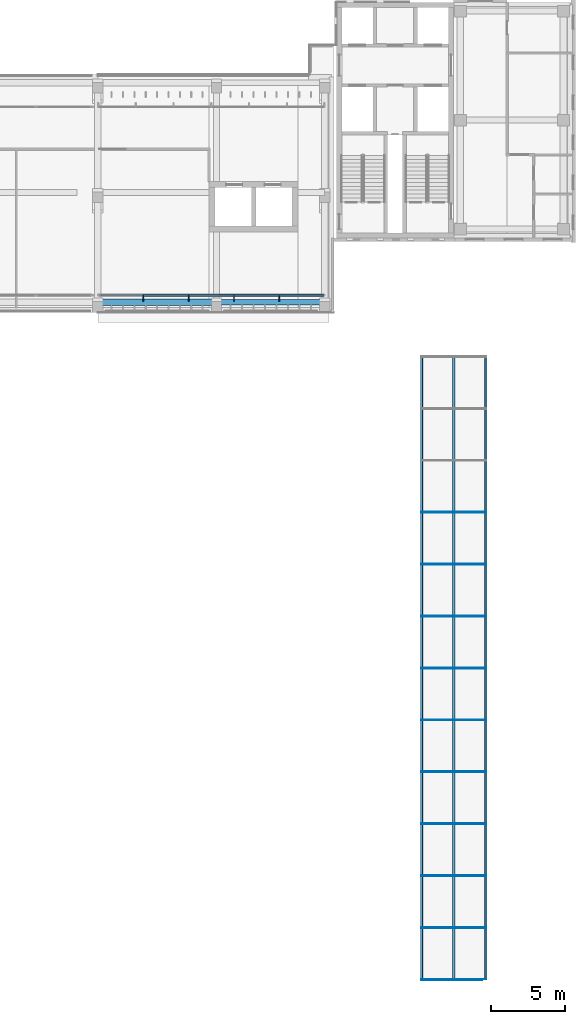
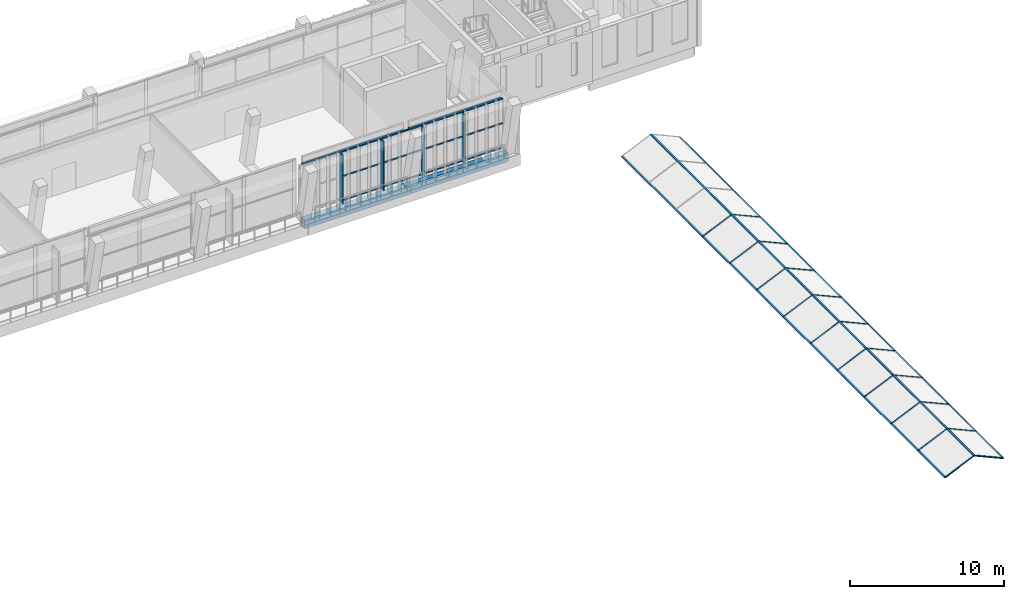
# One storey, part 10 of 73: 39 members, 4 beams, 2 elements without a shape of their own.
"""IFC4 building model written with IfcOpenShell, lengths in metres."""

from ifc_helpers import new_model, si_unit, direction, frame, origin, origin_2d, place, context, subcontext, project, spatial, rectangle, hollow_rectangle, extrude, material, layer, layer_set, material_profile, profile_set, type_object, element, aggregate, save


model = new_model("IFC4")

# Units and contexts
model_context = context("Model", 3, precision=1e-05, world=origin(), true_north=direction((0.0, 1.0)))
body_context = subcontext(model_context, "Body", "Model", "MODEL_VIEW")
ifc_project = project(units=[si_unit("LENGTHUNIT", "METRE"), si_unit("AREAUNIT", "SQUARE_METRE"), si_unit("VOLUMEUNIT", "CUBIC_METRE"), si_unit("PLANEANGLEUNIT", "RADIAN"), si_unit("MASSUNIT", "GRAM", prefix="KILO")], contexts=[model_context])

# Site, building, storey
site_placement = place(None, origin())
site = spatial("IfcSite", under=ifc_project, at=site_placement, CompositionType="ELEMENT")
building_placement = place(site_placement, origin())
building = spatial("IfcBuilding", under=site, at=building_placement, Name="Lantern Court Media Centre", CompositionType="ELEMENT")
storey_placement = place(building_placement, frame((0.0, 0.0, 24.0)))
storey = spatial("IfcBuildingStorey", under=building, at=storey_placement, Name="L05", CompositionType="ELEMENT", Elevation=24.0)

# Curtain wall, members
ifc_material_1 = material(Name="Curtain wall bay 3000")
curtain_wall_type_1 = type_object("IfcCurtainWallType", Name="Curtain wall bay 3000", PredefinedType="NOTDEFINED", material=ifc_material_1)
curtain_wall_1_placement = place(storey_placement, origin())
curtain_wall_1 = element("IfcCurtainWall", 1, at=curtain_wall_1_placement, inside=storey, type_object=curtain_wall_type_1, Name="Curtain wall S outer L05", PredefinedType="NOTDEFINED")
ifc_material_2 = material(Name="Anodised aluminium", Category="aluminium")
ifc_material_profile_1 = material_profile(ifc_material_2, rectangle(XDim=0.449951171875, YDim=0.06005859375, at=origin_2d()), Name="AL 60x450")
ifc_profile_set_1 = profile_set([ifc_material_profile_1], Name="Anodised aluminium")
member_type_1 = type_object("IfcMemberType", Name="Curtain wall mullion 60x450", PredefinedType="MULLION", material=ifc_profile_set_1)
member_1_placement = place(storey_placement, frame((67.06005859375, 43.955078125, 0.0), z_axis=(0.0, 0.0, 1.0), x_axis=(0.0, 1.0, 0.0)))
member_1 = element("IfcMember", 2, at=member_1_placement, type_object=member_type_1, Name="CW1 mullion 2", PredefinedType="MULLION", context=body_context, shape_type="SweptSolid", body=[
    extrude(rectangle(XDim=0.449951171875, YDim=0.06005859375, at=origin_2d()), origin(), (0.0, 0.0, 1.0), 3.949951171875),
])
member_2_placement = place(storey_placement, frame((70.1201171875, 43.955078125, 0.0), z_axis=(0.0, 0.0, 1.0), x_axis=(0.0, 1.0, 0.0)))
member_2 = element("IfcMember", 3, at=member_2_placement, type_object=member_type_1, Name="CW1 mullion 3", PredefinedType="MULLION", context=body_context, shape_type="SweptSolid", body=[
    extrude(rectangle(XDim=0.449951171875, YDim=0.06005859375, at=origin_2d()), origin(), (0.0, 0.0, 1.0), 3.949951171875),
])
member_3_placement = place(storey_placement, frame((73.179931640625, 43.955078125, 0.0), z_axis=(0.0, 0.0, 1.0), x_axis=(0.0, 1.0, 0.0)))
member_3 = element("IfcMember", 4, at=member_3_placement, type_object=member_type_1, Name="CW1 mullion 4", PredefinedType="MULLION", context=body_context, shape_type="SweptSolid", body=[
    extrude(rectangle(XDim=0.449951171875, YDim=0.06005859375, at=origin_2d()), origin(), (0.0, 0.0, 1.0), 3.949951171875),
])
member_4_placement = place(storey_placement, frame((76.239990234375, 43.955078125, 0.0), z_axis=(0.0, 0.0, 1.0), x_axis=(0.0, 1.0, 0.0)))
member_4 = element("IfcMember", 5, at=member_4_placement, type_object=member_type_1, Name="CW1 mullion 5", PredefinedType="MULLION", context=body_context, shape_type="SweptSolid", body=[
    extrude(rectangle(XDim=0.449951171875, YDim=0.06005859375, at=origin_2d()), origin(), (0.0, 0.0, 1.0), 3.949951171875),
])
ifc_material_profile_2 = material_profile(ifc_material_2, rectangle(XDim=0.1201171875, YDim=0.06005859375, at=origin_2d()), Name="AL 60x120")
ifc_profile_set_2 = profile_set([ifc_material_profile_2], Name="Anodised aluminium")
member_type_2 = type_object("IfcMemberType", Name="Curtain wall transom 60x120", PredefinedType="USERDEFINED", material=ifc_profile_set_2)
member_5_placement = place(storey_placement, frame((67.090087890625, 44.14990234375, 0.030029296875), z_axis=(1.0, 0.0, 0.0), x_axis=(0.0, 1.0, 0.0)))
member_5 = element("IfcMember", 6, at=member_5_placement, type_object=member_type_2, Name="CW1 transom 2.1", ObjectType="TRANSOM", PredefinedType="USERDEFINED", context=body_context, shape_type="SweptSolid", body=[
    extrude(rectangle(XDim=0.1201171875, YDim=0.06005859375, at=origin_2d()), origin(), (0.0, 0.0, 1.0), 3.0),
])
member_6_placement = place(storey_placement, frame((67.090087890625, 44.14990234375, 1.97509765625), z_axis=(1.0, 0.0, 0.0), x_axis=(0.0, 1.0, 0.0)))
member_6 = element("IfcMember", 7, at=member_6_placement, type_object=member_type_2, Name="CW1 transom 2.2", ObjectType="TRANSOM", PredefinedType="USERDEFINED", context=body_context, shape_type="SweptSolid", body=[
    extrude(rectangle(XDim=0.1201171875, YDim=0.06005859375, at=origin_2d()), origin(), (0.0, 0.0, 1.0), 3.0),
])
member_7_placement = place(storey_placement, frame((67.090087890625, 44.14990234375, 3.919921875), z_axis=(1.0, 0.0, 0.0), x_axis=(0.0, 1.0, 0.0)))
member_7 = element("IfcMember", 8, at=member_7_placement, type_object=member_type_2, Name="CW1 transom 2.3", ObjectType="TRANSOM", PredefinedType="USERDEFINED", context=body_context, shape_type="SweptSolid", body=[
    extrude(rectangle(XDim=0.1201171875, YDim=0.06005859375, at=origin_2d()), origin(), (0.0, 0.0, 1.0), 3.0),
])
member_8_placement = place(storey_placement, frame((70.14990234375, 44.14990234375, 0.030029296875), z_axis=(1.0, 0.0, 0.0), x_axis=(0.0, 1.0, 0.0)))
member_8 = element("IfcMember", 9, at=member_8_placement, type_object=member_type_2, Name="CW1 transom 3.1", ObjectType="TRANSOM", PredefinedType="USERDEFINED", context=body_context, shape_type="SweptSolid", body=[
    extrude(rectangle(XDim=0.1201171875, YDim=0.06005859375, at=origin_2d()), origin(), (0.0, 0.0, 1.0), 3.0),
])
member_9_placement = place(storey_placement, frame((70.14990234375, 44.14990234375, 1.97509765625), z_axis=(1.0, 0.0, 0.0), x_axis=(0.0, 1.0, 0.0)))
member_9 = element("IfcMember", 10, at=member_9_placement, type_object=member_type_2, Name="CW1 transom 3.2", ObjectType="TRANSOM", PredefinedType="USERDEFINED", context=body_context, shape_type="SweptSolid", body=[
    extrude(rectangle(XDim=0.1201171875, YDim=0.06005859375, at=origin_2d()), origin(), (0.0, 0.0, 1.0), 3.0),
])
member_10_placement = place(storey_placement, frame((70.14990234375, 44.14990234375, 3.919921875), z_axis=(1.0, 0.0, 0.0), x_axis=(0.0, 1.0, 0.0)))
member_10 = element("IfcMember", 11, at=member_10_placement, type_object=member_type_2, Name="CW1 transom 3.3", ObjectType="TRANSOM", PredefinedType="USERDEFINED", context=body_context, shape_type="SweptSolid", body=[
    extrude(rectangle(XDim=0.1201171875, YDim=0.06005859375, at=origin_2d()), origin(), (0.0, 0.0, 1.0), 3.0),
])
member_11_placement = place(storey_placement, frame((73.2099609375, 44.14990234375, 0.030029296875), z_axis=(1.0, 0.0, 0.0), x_axis=(0.0, 1.0, 0.0)))
member_11 = element("IfcMember", 12, at=member_11_placement, type_object=member_type_2, Name="CW1 transom 4.1", ObjectType="TRANSOM", PredefinedType="USERDEFINED", context=body_context, shape_type="SweptSolid", body=[
    extrude(rectangle(XDim=0.1201171875, YDim=0.06005859375, at=origin_2d()), origin(), (0.0, 0.0, 1.0), 3.0),
])
member_12_placement = place(storey_placement, frame((73.2099609375, 44.14990234375, 1.97509765625), z_axis=(1.0, 0.0, 0.0), x_axis=(0.0, 1.0, 0.0)))
member_12 = element("IfcMember", 13, at=member_12_placement, type_object=member_type_2, Name="CW1 transom 4.2", ObjectType="TRANSOM", PredefinedType="USERDEFINED", context=body_context, shape_type="SweptSolid", body=[
    extrude(rectangle(XDim=0.1201171875, YDim=0.06005859375, at=origin_2d()), origin(), (0.0, 0.0, 1.0), 3.0),
])
member_13_placement = place(storey_placement, frame((73.2099609375, 44.14990234375, 3.919921875), z_axis=(1.0, 0.0, 0.0), x_axis=(0.0, 1.0, 0.0)))
member_13 = element("IfcMember", 14, at=member_13_placement, type_object=member_type_2, Name="CW1 transom 4.3", ObjectType="TRANSOM", PredefinedType="USERDEFINED", context=body_context, shape_type="SweptSolid", body=[
    extrude(rectangle(XDim=0.1201171875, YDim=0.06005859375, at=origin_2d()), origin(), (0.0, 0.0, 1.0), 3.0),
])
member_14_placement = place(storey_placement, frame((76.27001953125, 44.14990234375, 0.030029296875), z_axis=(1.0, 0.0, 0.0), x_axis=(0.0, 1.0, 0.0)))
member_14 = element("IfcMember", 15, at=member_14_placement, type_object=member_type_2, Name="CW1 transom 5.1", ObjectType="TRANSOM", PredefinedType="USERDEFINED", context=body_context, shape_type="SweptSolid", body=[
    extrude(rectangle(XDim=0.1201171875, YDim=0.06005859375, at=origin_2d()), origin(), (0.0, 0.0, 1.0), 2.969970703125),
])
member_15_placement = place(storey_placement, frame((76.27001953125, 44.14990234375, 1.97509765625), z_axis=(1.0, 0.0, 0.0), x_axis=(0.0, 1.0, 0.0)))
member_15 = element("IfcMember", 16, at=member_15_placement, type_object=member_type_2, Name="CW1 transom 5.2", ObjectType="TRANSOM", PredefinedType="USERDEFINED", context=body_context, shape_type="SweptSolid", body=[
    extrude(rectangle(XDim=0.1201171875, YDim=0.06005859375, at=origin_2d()), origin(), (0.0, 0.0, 1.0), 2.969970703125),
])
member_16_placement = place(storey_placement, frame((76.27001953125, 44.14990234375, 3.919921875), z_axis=(1.0, 0.0, 0.0), x_axis=(0.0, 1.0, 0.0)))
member_16 = element("IfcMember", 17, at=member_16_placement, type_object=member_type_2, Name="CW1 transom 5.3", ObjectType="TRANSOM", PredefinedType="USERDEFINED", context=body_context, shape_type="SweptSolid", body=[
    extrude(rectangle(XDim=0.1201171875, YDim=0.06005859375, at=origin_2d()), origin(), (0.0, 0.0, 1.0), 2.969970703125),
])
aggregate(curtain_wall_1, [member_1, member_2, member_3, member_4, member_5, member_6, member_7, member_8, member_9, member_10, member_11, member_12, member_13, member_14, member_15, member_16])

# Beams
ifc_material_3 = material(Name="Steel S355J2 (EN 10025-2)", Category="steel")
ifc_material_profile_3 = material_profile(ifc_material_3, hollow_rectangle(XDim=0.10009765625, YDim=0.14990234375, WallThickness=0.00634765625, InnerFilletRadius=0.00634765625, OuterFilletRadius=0.009521484375, at=origin_2d()), Name="Facade head lintel RHS 150x100x6.3")
ifc_profile_set_3 = profile_set([ifc_material_profile_3], Name="Steel S355J2 (EN 10025-2)")
beam_type_1 = type_object("IfcBeamType", Name="Facade head lintel RHS 150x100x6.3", PredefinedType="BEAM", material=ifc_profile_set_3)
beam_1_placement = place(storey_placement, frame((64.199951171875, 44.14990234375, 4.02490234375), z_axis=(1.0, 0.0, 0.0), x_axis=(0.0, 1.0, 0.0)))
element("IfcBeam", 18, at=beam_1_placement, inside=storey, type_object=beam_type_1, Name="Facade head lintel S L05", PredefinedType="BEAM", context=body_context, shape_type="SweptSolid", body=[
    extrude(hollow_rectangle(XDim=0.10009765625, YDim=0.14990234375, WallThickness=0.00634765625, InnerFilletRadius=0.00634765625, OuterFilletRadius=0.009521484375, at=origin_2d()), origin(), (0.0, 0.0, 1.0), 7.60009765625),
])
beam_2_placement = place(storey_placement, frame((72.199951171875, 44.14990234375, 4.02490234375), z_axis=(1.0, 0.0, 0.0), x_axis=(0.0, 1.0, 0.0)))
element("IfcBeam", 19, at=beam_2_placement, inside=storey, type_object=beam_type_1, Name="Facade head lintel S L05", PredefinedType="BEAM", context=body_context, shape_type="SweptSolid", body=[
    extrude(hollow_rectangle(XDim=0.10009765625, YDim=0.14990234375, WallThickness=0.00634765625, InnerFilletRadius=0.00634765625, OuterFilletRadius=0.009521484375, at=origin_2d()), origin(), (0.0, 0.0, 1.0), 6.900146484375),
])
ifc_material_4 = material(Name="Concrete C35", Category="concrete")
ifc_material_profile_4 = material_profile(ifc_material_4, rectangle(XDim=0.39990234375, YDim=0.699951171875, at=origin_2d()), Name="RC 400x700")
ifc_profile_set_4 = profile_set([ifc_material_profile_4], Name="Concrete C35")
beam_type_2 = type_object("IfcBeamType", Name="RC BEAM 400x700", PredefinedType="BEAM", material=ifc_profile_set_4)
beam_3_placement = place(storey_placement, frame((72.0, 43.6728515625, -0.35009765625), z_axis=(1.0, 0.0, 0.0), x_axis=(0.0, 1.0, 0.0)))
element("IfcBeam", 20, at=beam_3_placement, inside=storey, type_object=beam_type_2, Name="LB-S-L05-0-6", PredefinedType="BEAM", context=body_context, shape_type="SweptSolid", body=[
    extrude(rectangle(XDim=0.39990234375, YDim=0.699951171875, at=origin_2d()), origin(), (0.0, 0.0, 1.0), 7.300048828125),
])
ifc_material_profile_5 = material_profile(ifc_material_4, rectangle(XDim=0.449951171875, YDim=0.699951171875, at=origin_2d()), Name="RC 450x700")
ifc_profile_set_5 = profile_set([ifc_material_profile_5], Name="Concrete C35")
beam_type_3 = type_object("IfcBeamType", Name="RC BEAM 450x700", PredefinedType="BEAM", material=ifc_profile_set_5)
beam_4_placement = place(storey_placement, frame((64.0, 43.6728515625, -0.35009765625), z_axis=(1.0, 0.0, 0.0), x_axis=(0.0, 1.0, 0.0)))
element("IfcBeam", 21, at=beam_4_placement, inside=storey, type_object=beam_type_3, Name="LB-S-L05-0-5", PredefinedType="BEAM", context=body_context, shape_type="SweptSolid", body=[
    extrude(rectangle(XDim=0.449951171875, YDim=0.699951171875, at=origin_2d()), origin(), (0.0, 0.0, 1.0), 8.0),
])

# Curtain wall, members
ifc_material_5 = material(Name="Aluminium and glass", Category="aluminium")
ifc_layer = layer(ifc_material_5, 0.14990234375)
ifc_layer_set = layer_set([ifc_layer], Name="Aluminium and glass")
curtain_wall_type_2 = type_object("IfcCurtainWallType", Name="Hall lancet glazing", PredefinedType="NOTDEFINED", material=ifc_layer_set)
curtain_wall_2_placement = place(storey_placement, origin())
curtain_wall_2 = element("IfcCurtainWall", 22, at=curtain_wall_2_placement, inside=storey, type_object=curtain_wall_type_2, Name="Studio Hall ridge roof-light", PredefinedType="NOTDEFINED")
ifc_material_6 = material(Name="Aluminium, anodised", Category="aluminium")
ifc_material_profile_6 = material_profile(ifc_material_6, rectangle(XDim=0.139892578125, YDim=0.06005859375, at=origin_2d()), Name="Ridge and eave bar")
ifc_profile_set_6 = profile_set([ifc_material_profile_6], Name="Aluminium, anodised")
member_type_3 = type_object("IfcMemberType", Name="Ridge and eave bar", PredefinedType="USERDEFINED", material=ifc_profile_set_6)
placement = place(building_placement, frame((0.0, 0.0, 19.199951171875)))
member_17_placement = place(placement, frame((85.838134765625, -2.0, 4.333251953125), z_axis=(0.0, 1.0, 0.0), x_axis=(-0.912905320674, 0.0, -0.408171380043)))
member_17 = element("IfcMember", 23, at=member_17_placement, type_object=member_type_3, Name="Studio Hall ridge and eave bar", ObjectType="TRANSOM", PredefinedType="USERDEFINED", context=body_context, shape_type="SweptSolid", body=[
    extrude(rectangle(XDim=0.139892578125, YDim=0.06005859375, at=origin_2d()), origin(), (0.0, 0.0, 1.0), 42.0),
])
member_18_placement = place(storey_placement, frame((88.0, -2.0, 0.5), z_axis=(0.0, 1.0, 0.0), x_axis=(-1.0, 0.0, 0.0)))
member_18 = element("IfcMember", 24, at=member_18_placement, type_object=member_type_3, Name="Studio Hall ridge and eave bar", ObjectType="TRANSOM", PredefinedType="USERDEFINED", context=body_context, shape_type="SweptSolid", body=[
    extrude(rectangle(XDim=0.139892578125, YDim=0.06005859375, at=origin_2d()), origin(), (0.0, 0.0, 1.0), 42.0),
])
member_19_placement = place(placement, frame((90.161865234375, -2.0, 4.333251953125), z_axis=(0.0, 1.0, 0.0), x_axis=(-0.912905320674, 0.0, 0.408171380043)))
member_19 = element("IfcMember", 25, at=member_19_placement, type_object=member_type_3, Name="Studio Hall ridge and eave bar", ObjectType="TRANSOM", PredefinedType="USERDEFINED", context=body_context, shape_type="SweptSolid", body=[
    extrude(rectangle(XDim=0.139892578125, YDim=0.06005859375, at=origin_2d()), origin(), (0.0, 0.0, 1.0), 42.0),
])
ifc_material_profile_7 = material_profile(ifc_material_6, rectangle(XDim=0.06005859375, YDim=0.06005859375, at=origin_2d()), Name="Roof-light bar")
ifc_profile_set_7 = profile_set([ifc_material_profile_7], Name="Aluminium, anodised")
member_type_4 = type_object("IfcMemberType", Name="Roof-light bar", PredefinedType="MULLION", material=ifc_profile_set_7)
member_20_placement = place(placement, frame((85.825927734375, -2.0, 4.330810546875), z_axis=(0.912912280931, 0.0, 0.408155812559), x_axis=(0.0, 1.0, 0.0)))
member_20 = element("IfcMember", 26, at=member_20_placement, type_object=member_type_4, Name="Studio Hall roof-light bar", PredefinedType="MULLION", context=body_context, shape_type="SweptSolid", body=[
    extrude(rectangle(XDim=0.06005859375, YDim=0.06005859375, at=origin_2d()), origin(), (0.0, 0.0, 1.0), 2.3681640625),
])
member_21_placement = place(placement, frame((85.825927734375, 1.5, 4.330810546875), z_axis=(0.912912280931, 0.0, 0.408155812559), x_axis=(0.0, 1.0, 0.0)))
member_21 = element("IfcMember", 27, at=member_21_placement, type_object=member_type_4, Name="Studio Hall roof-light bar", PredefinedType="MULLION", context=body_context, shape_type="SweptSolid", body=[
    extrude(rectangle(XDim=0.06005859375, YDim=0.06005859375, at=origin_2d()), origin(), (0.0, 0.0, 1.0), 2.3681640625),
])
member_22_placement = place(placement, frame((85.825927734375, 5.0, 4.330810546875), z_axis=(0.912912280931, 0.0, 0.408155812559), x_axis=(0.0, 1.0, 0.0)))
member_22 = element("IfcMember", 28, at=member_22_placement, type_object=member_type_4, Name="Studio Hall roof-light bar", PredefinedType="MULLION", context=body_context, shape_type="SweptSolid", body=[
    extrude(rectangle(XDim=0.06005859375, YDim=0.06005859375, at=origin_2d()), origin(), (0.0, 0.0, 1.0), 2.3681640625),
])
member_23_placement = place(placement, frame((85.825927734375, 8.5, 4.330810546875), z_axis=(0.912912280931, 0.0, 0.408155812559), x_axis=(0.0, 1.0, 0.0)))
member_23 = element("IfcMember", 29, at=member_23_placement, type_object=member_type_4, Name="Studio Hall roof-light bar", PredefinedType="MULLION", context=body_context, shape_type="SweptSolid", body=[
    extrude(rectangle(XDim=0.06005859375, YDim=0.06005859375, at=origin_2d()), origin(), (0.0, 0.0, 1.0), 2.3681640625),
])
member_24_placement = place(placement, frame((85.825927734375, 12.0, 4.330810546875), z_axis=(0.912912280931, 0.0, 0.408155812559), x_axis=(0.0, 1.0, 0.0)))
member_24 = element("IfcMember", 30, at=member_24_placement, type_object=member_type_4, Name="Studio Hall roof-light bar", PredefinedType="MULLION", context=body_context, shape_type="SweptSolid", body=[
    extrude(rectangle(XDim=0.06005859375, YDim=0.06005859375, at=origin_2d()), origin(), (0.0, 0.0, 1.0), 2.3681640625),
])
member_25_placement = place(placement, frame((85.825927734375, 15.5, 4.330810546875), z_axis=(0.912912280931, 0.0, 0.408155812559), x_axis=(0.0, 1.0, 0.0)))
member_25 = element("IfcMember", 31, at=member_25_placement, type_object=member_type_4, Name="Studio Hall roof-light bar", PredefinedType="MULLION", context=body_context, shape_type="SweptSolid", body=[
    extrude(rectangle(XDim=0.06005859375, YDim=0.06005859375, at=origin_2d()), origin(), (0.0, 0.0, 1.0), 2.3681640625),
])
member_26_placement = place(placement, frame((85.825927734375, 19.0, 4.330810546875), z_axis=(0.912912280931, 0.0, 0.408155812559), x_axis=(0.0, 1.0, 0.0)))
member_26 = element("IfcMember", 32, at=member_26_placement, type_object=member_type_4, Name="Studio Hall roof-light bar", PredefinedType="MULLION", context=body_context, shape_type="SweptSolid", body=[
    extrude(rectangle(XDim=0.06005859375, YDim=0.06005859375, at=origin_2d()), origin(), (0.0, 0.0, 1.0), 2.3681640625),
])
member_27_placement = place(placement, frame((85.825927734375, 22.5, 4.330810546875), z_axis=(0.912912280931, 0.0, 0.408155812559), x_axis=(0.0, 1.0, 0.0)))
member_27 = element("IfcMember", 33, at=member_27_placement, type_object=member_type_4, Name="Studio Hall roof-light bar", PredefinedType="MULLION", context=body_context, shape_type="SweptSolid", body=[
    extrude(rectangle(XDim=0.06005859375, YDim=0.06005859375, at=origin_2d()), origin(), (0.0, 0.0, 1.0), 2.3681640625),
])
member_28_placement = place(placement, frame((85.825927734375, 26.0, 4.330810546875), z_axis=(0.912912280931, 0.0, 0.408155812559), x_axis=(0.0, 1.0, 0.0)))
member_28 = element("IfcMember", 34, at=member_28_placement, type_object=member_type_4, Name="Studio Hall roof-light bar", PredefinedType="MULLION", context=body_context, shape_type="SweptSolid", body=[
    extrude(rectangle(XDim=0.06005859375, YDim=0.06005859375, at=origin_2d()), origin(), (0.0, 0.0, 1.0), 2.3681640625),
])
member_29_placement = place(placement, frame((85.825927734375, 29.5, 4.330810546875), z_axis=(0.912912280931, 0.0, 0.408155812559), x_axis=(0.0, 1.0, 0.0)))
member_29 = element("IfcMember", 35, at=member_29_placement, type_object=member_type_4, Name="Studio Hall roof-light bar", PredefinedType="MULLION", context=body_context, shape_type="SweptSolid", body=[
    extrude(rectangle(XDim=0.06005859375, YDim=0.06005859375, at=origin_2d()), origin(), (0.0, 0.0, 1.0), 2.3681640625),
])
member_30_placement = place(storey_placement, frame((88.01220703125, -2.0, 0.497314453125), z_axis=(0.912912280931, 0.0, -0.408155812559), x_axis=(0.0, 1.0, 0.0)))
member_30 = element("IfcMember", 36, at=member_30_placement, type_object=member_type_4, Name="Studio Hall roof-light bar", PredefinedType="MULLION", context=body_context, shape_type="SweptSolid", body=[
    extrude(rectangle(XDim=0.06005859375, YDim=0.06005859375, at=origin_2d()), origin(), (0.0, 0.0, 1.0), 2.3681640625),
])
member_31_placement = place(storey_placement, frame((88.01220703125, 1.5, 0.497314453125), z_axis=(0.912912280931, 0.0, -0.408155812559), x_axis=(0.0, 1.0, 0.0)))
member_31 = element("IfcMember", 37, at=member_31_placement, type_object=member_type_4, Name="Studio Hall roof-light bar", PredefinedType="MULLION", context=body_context, shape_type="SweptSolid", body=[
    extrude(rectangle(XDim=0.06005859375, YDim=0.06005859375, at=origin_2d()), origin(), (0.0, 0.0, 1.0), 2.3681640625),
])
member_32_placement = place(storey_placement, frame((88.01220703125, 5.0, 0.497314453125), z_axis=(0.912912280931, 0.0, -0.408155812559), x_axis=(0.0, 1.0, 0.0)))
member_32 = element("IfcMember", 38, at=member_32_placement, type_object=member_type_4, Name="Studio Hall roof-light bar", PredefinedType="MULLION", context=body_context, shape_type="SweptSolid", body=[
    extrude(rectangle(XDim=0.06005859375, YDim=0.06005859375, at=origin_2d()), origin(), (0.0, 0.0, 1.0), 2.3681640625),
])
member_33_placement = place(storey_placement, frame((88.01220703125, 8.5, 0.497314453125), z_axis=(0.912912280931, 0.0, -0.408155812559), x_axis=(0.0, 1.0, 0.0)))
member_33 = element("IfcMember", 39, at=member_33_placement, type_object=member_type_4, Name="Studio Hall roof-light bar", PredefinedType="MULLION", context=body_context, shape_type="SweptSolid", body=[
    extrude(rectangle(XDim=0.06005859375, YDim=0.06005859375, at=origin_2d()), origin(), (0.0, 0.0, 1.0), 2.3681640625),
])
member_34_placement = place(storey_placement, frame((88.01220703125, 12.0, 0.497314453125), z_axis=(0.912912280931, 0.0, -0.408155812559), x_axis=(0.0, 1.0, 0.0)))
member_34 = element("IfcMember", 40, at=member_34_placement, type_object=member_type_4, Name="Studio Hall roof-light bar", PredefinedType="MULLION", context=body_context, shape_type="SweptSolid", body=[
    extrude(rectangle(XDim=0.06005859375, YDim=0.06005859375, at=origin_2d()), origin(), (0.0, 0.0, 1.0), 2.3681640625),
])
member_35_placement = place(storey_placement, frame((88.01220703125, 15.5, 0.497314453125), z_axis=(0.912912280931, 0.0, -0.408155812559), x_axis=(0.0, 1.0, 0.0)))
member_35 = element("IfcMember", 41, at=member_35_placement, type_object=member_type_4, Name="Studio Hall roof-light bar", PredefinedType="MULLION", context=body_context, shape_type="SweptSolid", body=[
    extrude(rectangle(XDim=0.06005859375, YDim=0.06005859375, at=origin_2d()), origin(), (0.0, 0.0, 1.0), 2.3681640625),
])
member_36_placement = place(storey_placement, frame((88.01220703125, 19.0, 0.497314453125), z_axis=(0.912912280931, 0.0, -0.408155812559), x_axis=(0.0, 1.0, 0.0)))
member_36 = element("IfcMember", 42, at=member_36_placement, type_object=member_type_4, Name="Studio Hall roof-light bar", PredefinedType="MULLION", context=body_context, shape_type="SweptSolid", body=[
    extrude(rectangle(XDim=0.06005859375, YDim=0.06005859375, at=origin_2d()), origin(), (0.0, 0.0, 1.0), 2.3681640625),
])
member_37_placement = place(storey_placement, frame((88.01220703125, 22.5, 0.497314453125), z_axis=(0.912912280931, 0.0, -0.408155812559), x_axis=(0.0, 1.0, 0.0)))
member_37 = element("IfcMember", 43, at=member_37_placement, type_object=member_type_4, Name="Studio Hall roof-light bar", PredefinedType="MULLION", context=body_context, shape_type="SweptSolid", body=[
    extrude(rectangle(XDim=0.06005859375, YDim=0.06005859375, at=origin_2d()), origin(), (0.0, 0.0, 1.0), 2.3681640625),
])
member_38_placement = place(storey_placement, frame((88.01220703125, 26.0, 0.497314453125), z_axis=(0.912912280931, 0.0, -0.408155812559), x_axis=(0.0, 1.0, 0.0)))
member_38 = element("IfcMember", 44, at=member_38_placement, type_object=member_type_4, Name="Studio Hall roof-light bar", PredefinedType="MULLION", context=body_context, shape_type="SweptSolid", body=[
    extrude(rectangle(XDim=0.06005859375, YDim=0.06005859375, at=origin_2d()), origin(), (0.0, 0.0, 1.0), 2.3681640625),
])
member_39_placement = place(storey_placement, frame((88.01220703125, 29.5, 0.497314453125), z_axis=(0.912912280931, 0.0, -0.408155812559), x_axis=(0.0, 1.0, 0.0)))
member_39 = element("IfcMember", 45, at=member_39_placement, type_object=member_type_4, Name="Studio Hall roof-light bar", PredefinedType="MULLION", context=body_context, shape_type="SweptSolid", body=[
    extrude(rectangle(XDim=0.06005859375, YDim=0.06005859375, at=origin_2d()), origin(), (0.0, 0.0, 1.0), 2.3681640625),
])
aggregate(curtain_wall_2, [member_20, member_21, member_22, member_23, member_24, member_25, member_26, member_27, member_28, member_29, member_30, member_31, member_32, member_33, member_34, member_35, member_36, member_37, member_38, member_39, member_17, member_18, member_19])

save(model, "model.ifc")
